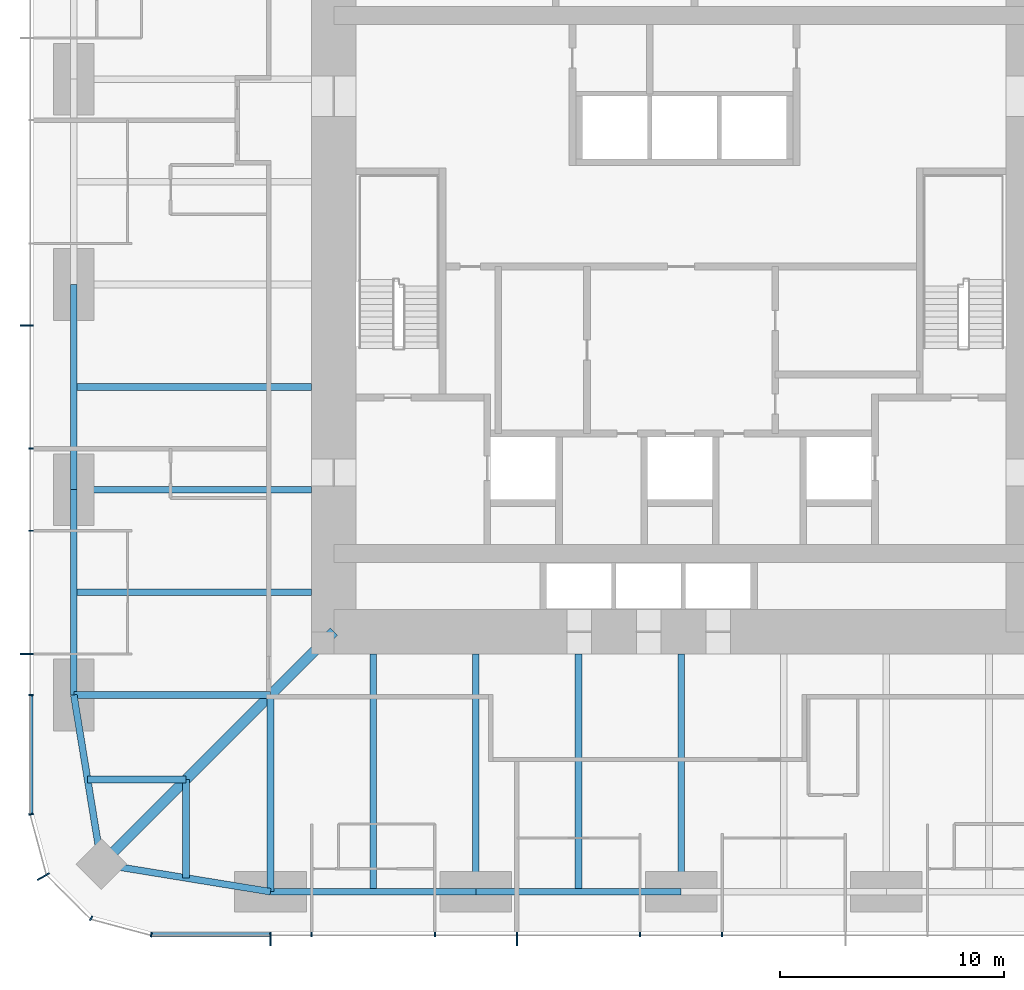
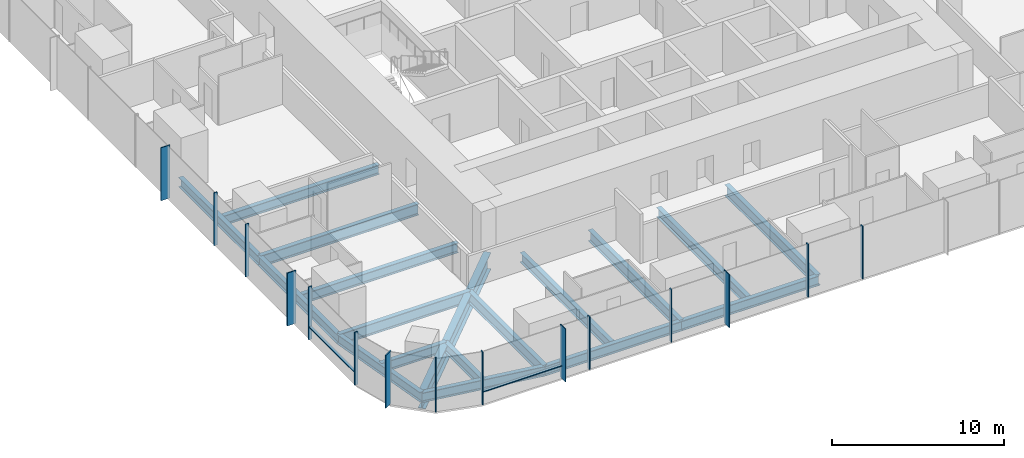
# One storey, part 2 of 13: 18 beams, 17 members, 3 elements without a shape of their own.
"""IFC4 building model written with IfcOpenShell, lengths in metres."""

from ifc_helpers import new_model, si_unit, direction, frame, origin, origin_2d, place, context, subcontext, project, spatial, rectangle, i_section, extrude, material, material_profile, profile_set, type_object, element, aggregate, save


model = new_model("IFC4")

# Units and contexts
model_context = context("Model", 3, precision=1e-05, world=origin(), true_north=direction((0.0, 1.0)))
body_context = subcontext(model_context, "Body", "Model", "MODEL_VIEW")
ifc_project = project(units=[si_unit("LENGTHUNIT", "METRE"), si_unit("AREAUNIT", "SQUARE_METRE"), si_unit("VOLUMEUNIT", "CUBIC_METRE"), si_unit("PLANEANGLEUNIT", "RADIAN"), si_unit("MASSUNIT", "GRAM", prefix="KILO")], contexts=[model_context])

# Site, building, storey
site_placement = place(None, origin())
site = spatial("IfcSite", under=ifc_project, at=site_placement, CompositionType="ELEMENT")
building_placement = place(site_placement, origin())
building = spatial("IfcBuilding", under=site, at=building_placement, Name="Khuree Lantern Residences", CompositionType="ELEMENT")
storey_placement = place(building_placement, frame((0.0, 0.0, 129.75)))
storey = spatial("IfcBuildingStorey", under=building, at=storey_placement, Name="L32", CompositionType="ELEMENT", Elevation=129.75)

# Beams
ifc_material_1 = material(Name="Steel S355", Category="steel")
ifc_material_profile_1 = material_profile(ifc_material_1, i_section(OverallWidth=0.300048828125, OverallDepth=0.68994140625, WebThickness=0.014404296875, FlangeThickness=0.027099609375, FilletRadius=0.027099609375, at=origin_2d()), Name="HE 700 A")
ifc_profile_set_1 = profile_set([ifc_material_profile_1], Name="Steel S355")
beam_type_1 = type_object("IfcBeamType", Name="B-22 SECONDARY BEAM HE 700 A", PredefinedType="BEAM", material=ifc_profile_set_1)
for number, where, z_axis, x_axis, name in (
    (1, (-4.580078125, -27.10009765625, -0.594970703125), (0.0, 1.0, 0.0), (-1.0, 0.0, 0.0), "Secondary beam S4"),
    (2, (-13.739990234375, -27.10009765625, -0.594970703125), (0.0, 1.0, 0.0), (-1.0, 0.0, 0.0), "Secondary beam S5"),
):
    element("IfcBeam", number, at=place(storey_placement, frame(where, z_axis=z_axis, x_axis=x_axis)), inside=storey, type_object=beam_type_1, Name=name, PredefinedType="BEAM", context=body_context, shape_type="SweptSolid", body=[
        extrude(i_section(OverallWidth=0.300048828125, OverallDepth=0.68994140625, WebThickness=0.014404296875, FlangeThickness=0.027099609375, FilletRadius=0.027099609375, at=origin_2d()), origin(), (0.0, 0.0, 1.0), 10.60009765625),
    ])
for number, where, z_axis, x_axis, name in (
    (3, (-22.094970703125, -26.48486328125, -0.594970703125), (0.0, 1.0, 0.0), (-1.0, 0.0, 0.0), "Secondary beam S6"),
    (4, (-26.48486328125, -22.094970703125, -0.594970703125), (1.0, 0.0, 0.0), (0.0, 1.0, 0.0), "Secondary beam W1"),
):
    element("IfcBeam", number, at=place(storey_placement, frame(where, z_axis=z_axis, x_axis=x_axis)), inside=storey, type_object=beam_type_1, Name=name, PredefinedType="BEAM", context=body_context, shape_type="SweptSolid", body=[
        extrude(i_section(OverallWidth=0.300048828125, OverallDepth=0.68994140625, WebThickness=0.014404296875, FlangeThickness=0.027099609375, FilletRadius=0.027099609375, at=origin_2d()), origin(), (0.0, 0.0, 1.0), 4.389892578125),
    ])
for number, where, z_axis, x_axis, name in (
    (5, (-27.10009765625, -13.739990234375, -0.594970703125), (1.0, 0.0, 0.0), (0.0, 1.0, 0.0), "Secondary beam W2"),
    (6, (-27.10009765625, -4.580078125, -0.594970703125), (1.0, 0.0, 0.0), (0.0, 1.0, 0.0), "Secondary beam W3"),
):
    element("IfcBeam", number, at=place(storey_placement, frame(where, z_axis=z_axis, x_axis=x_axis)), inside=storey, type_object=beam_type_1, Name=name, PredefinedType="BEAM", context=body_context, shape_type="SweptSolid", body=[
        extrude(i_section(OverallWidth=0.300048828125, OverallDepth=0.68994140625, WebThickness=0.014404296875, FlangeThickness=0.027099609375, FilletRadius=0.027099609375, at=origin_2d()), origin(), (0.0, 0.0, 1.0), 10.60009765625),
    ])
ifc_material_profile_2 = material_profile(ifc_material_1, i_section(OverallWidth=0.300048828125, OverallDepth=0.68994140625, WebThickness=0.014404296875, FlangeThickness=0.027099609375, FilletRadius=0.027099609375, at=origin_2d()), Name="HE 700 A")
ifc_profile_set_2 = profile_set([ifc_material_profile_2], Name="Steel S355")
beam_type_2 = type_object("IfcBeamType", Name="E-22 SPANDREL BEAM HE 700 A", PredefinedType="SPANDREL", material=ifc_profile_set_2)
beam_1_placement = place(storey_placement, frame((0.0, -27.10009765625, -0.594970703125), z_axis=(-1.0, 0.0, 0.0), x_axis=(0.0, -1.0, 0.0)))
element("IfcBeam", 7, at=beam_1_placement, inside=storey, type_object=beam_type_2, Name="Spandrel beam S4", PredefinedType="SPANDREL", context=body_context, shape_type="SweptSolid", body=[
    extrude(i_section(OverallWidth=0.300048828125, OverallDepth=0.68994140625, WebThickness=0.014404296875, FlangeThickness=0.027099609375, FilletRadius=0.027099609375, at=origin_2d()), origin(), (0.0, 0.0, 1.0), 9.159912109375),
])
beam_2_placement = place(storey_placement, frame((-9.159912109375, -27.10009765625, -0.594970703125), z_axis=(-1.0, 0.0, 0.0), x_axis=(0.0, -1.0, 0.0)))
element("IfcBeam", 8, at=beam_2_placement, inside=storey, type_object=beam_type_2, Name="Spandrel beam S5", PredefinedType="SPANDREL", context=body_context, shape_type="SweptSolid", body=[
    extrude(i_section(OverallWidth=0.300048828125, OverallDepth=0.68994140625, WebThickness=0.014404296875, FlangeThickness=0.027099609375, FilletRadius=0.027099609375, at=origin_2d()), origin(), (0.0, 0.0, 1.0), 9.16015625),
])
for number, where, z_axis, x_axis, name in (
    (9, (-18.320068359375, -27.10009765625, -0.594970703125), (-0.986982656839, 0.160826723833, 0.0), (-0.160826723833, -0.986982656839, 0.0), "Spandrel beam S6"),
    (10, (-25.869873046875, -25.869873046875, -0.594970703125), (-0.160826723833, 0.986982656839, 0.0), (-0.986982656839, -0.160826723833, 0.0), "Spandrel beam W1"),
):
    element("IfcBeam", number, at=place(storey_placement, frame(where, z_axis=z_axis, x_axis=x_axis)), inside=storey, type_object=beam_type_2, Name=name, PredefinedType="SPANDREL", context=body_context, shape_type="SweptSolid", body=[
        extrude(i_section(OverallWidth=0.300048828125, OverallDepth=0.68994140625, WebThickness=0.014404296875, FlangeThickness=0.027099609375, FilletRadius=0.027099609375, at=origin_2d()), origin(), (0.0, 0.0, 1.0), 7.6494140625),
    ])
beam_3_placement = place(storey_placement, frame((-27.10009765625, -18.320068359375, -0.594970703125), z_axis=(0.0, 1.0, 0.0), x_axis=(-1.0, 0.0, 0.0)))
element("IfcBeam", 11, at=beam_3_placement, inside=storey, type_object=beam_type_2, Name="Spandrel beam W2", PredefinedType="SPANDREL", context=body_context, shape_type="SweptSolid", body=[
    extrude(i_section(OverallWidth=0.300048828125, OverallDepth=0.68994140625, WebThickness=0.014404296875, FlangeThickness=0.027099609375, FilletRadius=0.027099609375, at=origin_2d()), origin(), (0.0, 0.0, 1.0), 9.16015625),
])
beam_4_placement = place(storey_placement, frame((-27.10009765625, -9.159912109375, -0.594970703125), z_axis=(0.0, 1.0, 0.0), x_axis=(-1.0, 0.0, 0.0)))
element("IfcBeam", 12, at=beam_4_placement, inside=storey, type_object=beam_type_2, Name="Spandrel beam W3", PredefinedType="SPANDREL", context=body_context, shape_type="SweptSolid", body=[
    extrude(i_section(OverallWidth=0.300048828125, OverallDepth=0.68994140625, WebThickness=0.014404296875, FlangeThickness=0.027099609375, FilletRadius=0.027099609375, at=origin_2d()), origin(), (0.0, 0.0, 1.0), 9.159912109375),
])

# Curtain wall, members
ifc_material_2 = material(Name="Bronze anodised aluminium", Category="aluminium")
curtain_wall_type_1 = type_object("IfcCurtainWallType", Name="CW-T1 TOWER FACE CURTAIN WALL", PredefinedType="USERDEFINED", material=ifc_material_2)
curtain_wall_1_placement = place(storey_placement, origin())
curtain_wall_1 = element("IfcCurtainWall", 13, at=curtain_wall_1_placement, inside=storey, type_object=curtain_wall_type_1, Name="L32 WEST FACE CURTAIN WALL", ObjectType="Stick-built curtain wall", PredefinedType="USERDEFINED")
ifc_material_profile_3 = material_profile(ifc_material_2, rectangle(XDim=0.06494140625, YDim=0.60009765625, at=origin_2d()), Name="F1 65X600")
ifc_profile_set_3 = profile_set([ifc_material_profile_3], Name="Bronze anodised aluminium")
member_type_1 = type_object("IfcMemberType", Name="F1 BRONZE FIN MULLION TOWER 65X600", PredefinedType="MULLION", material=ifc_profile_set_3)
member_1_placement = place(storey_placement, frame((-29.199951171875, -1.83203125, 0.0), z_axis=(0.0, 0.0, 1.0), x_axis=(0.0, -1.0, 0.0)))
member_1 = element("IfcMember", 14, at=member_1_placement, type_object=member_type_1, Name="L32 WEST FACE FIN MULLION 38", PredefinedType="MULLION", context=body_context, shape_type="SweptSolid", body=[
    extrude(rectangle(XDim=0.06494140625, YDim=0.60009765625, at=origin_2d()), origin(), (0.0, 0.0, 1.0), 3.75),
])
member_2_placement = place(storey_placement, frame((-29.199951171875, -16.488037109375, 0.0), z_axis=(0.0, 0.0, 1.0), x_axis=(0.0, -1.0, 0.0)))
member_2 = element("IfcMember", 15, at=member_2_placement, type_object=member_type_1, Name="L32 WEST FACE FIN MULLION 41", PredefinedType="MULLION", context=body_context, shape_type="SweptSolid", body=[
    extrude(rectangle(XDim=0.06494140625, YDim=0.60009765625, at=origin_2d()), origin(), (0.0, 0.0, 1.0), 3.75),
])

# Curtain wall, member
curtain_wall_type_2 = type_object("IfcCurtainWallType", Name="CW-T2 TOWER CORNER CURTAIN WALL", PredefinedType="USERDEFINED", material=ifc_material_2)
curtain_wall_2_placement = place(storey_placement, origin())
curtain_wall_2 = element("IfcCurtainWall", 16, at=curtain_wall_2_placement, inside=storey, type_object=curtain_wall_type_2, Name="L32 SOUTH-WEST CORNER CURTAIN WALL", ObjectType="Faceted corner curtain wall", PredefinedType="USERDEFINED")
member_3_placement = place(storey_placement, frame((-28.45654296875, -26.425048828125, 0.0), z_axis=(0.0, 0.0, 1.0), x_axis=(0.500000026995, -0.866025388199, 0.0)))
member_3 = element("IfcMember", 17, at=member_3_placement, type_object=member_type_1, Name="L32 SOUTH-WEST CORNER FIN MULLION 44", PredefinedType="MULLION", context=body_context, shape_type="SweptSolid", body=[
    extrude(rectangle(XDim=0.06494140625, YDim=0.60009765625, at=origin_2d()), origin(), (0.0, 0.0, 1.0), 3.75),
])

# Curtain wall, members
curtain_wall_3_placement = place(storey_placement, origin())
curtain_wall_3 = element("IfcCurtainWall", 18, at=curtain_wall_3_placement, inside=storey, type_object=curtain_wall_type_1, Name="L32 SOUTH FACE CURTAIN WALL", ObjectType="Stick-built curtain wall", PredefinedType="USERDEFINED")
member_4_placement = place(storey_placement, frame((-18.320068359375, -29.199951171875, 0.0), z_axis=(0.0, 0.0, 1.0), x_axis=(1.0, 0.0, 0.0)))
member_4 = element("IfcMember", 19, at=member_4_placement, type_object=member_type_1, Name="L32 SOUTH FACE FIN MULLION 47", PredefinedType="MULLION", context=body_context, shape_type="SweptSolid", body=[
    extrude(rectangle(XDim=0.06494140625, YDim=0.60009765625, at=origin_2d()), origin(), (0.0, 0.0, 1.0), 3.75),
])
member_5_placement = place(storey_placement, frame((-7.327880859375, -29.199951171875, 0.0), z_axis=(0.0, 0.0, 1.0), x_axis=(1.0, 0.0, 0.0)))
member_5 = element("IfcMember", 20, at=member_5_placement, type_object=member_type_1, Name="L32 SOUTH FACE FIN MULLION 50", PredefinedType="MULLION", context=body_context, shape_type="SweptSolid", body=[
    extrude(rectangle(XDim=0.06494140625, YDim=0.60009765625, at=origin_2d()), origin(), (0.0, 0.0, 1.0), 3.75),
])

# Beams
ifc_material_profile_4 = material_profile(ifc_material_1, i_section(OverallWidth=0.300048828125, OverallDepth=0.800048828125, WebThickness=0.017578125, FlangeThickness=0.032958984375, FilletRadius=0.030029296875, at=origin_2d()), Name="HE 800 B")
ifc_profile_set_4 = profile_set([ifc_material_profile_4], Name="Steel S355")
beam_type_3 = type_object("IfcBeamType", Name="G-22 GIRDER HE 800 B", PredefinedType="BEAM", material=ifc_profile_set_4)
for number, where, z_axis, x_axis, name in (
    (21, (0.0, -27.10009765625, -0.64990234375), (0.0, 1.0, 0.0), (-1.0, 0.0, 0.0), "Girder S3"),
    (22, (-9.159912109375, -27.10009765625, -0.64990234375), (0.0, 1.0, 0.0), (-1.0, 0.0, 0.0), "Girder S4"),
):
    element("IfcBeam", number, at=place(storey_placement, frame(where, z_axis=z_axis, x_axis=x_axis)), inside=storey, type_object=beam_type_3, Name=name, PredefinedType="BEAM", context=body_context, shape_type="SweptSolid", body=[
        extrude(i_section(OverallWidth=0.300048828125, OverallDepth=0.800048828125, WebThickness=0.017578125, FlangeThickness=0.032958984375, FilletRadius=0.030029296875, at=origin_2d()), origin(), (0.0, 0.0, 1.0), 10.60009765625),
    ])
for number, where, z_axis, x_axis, name in (
    (23, (-18.320068359375, -27.10009765625, -0.64990234375), (0.0, 1.0, 0.0), (-1.0, 0.0, 0.0), "Girder S5"),
    (24, (-27.10009765625, -18.320068359375, -0.64990234375), (1.0, 0.0, 0.0), (0.0, 1.0, 0.0), "Girder W1"),
):
    element("IfcBeam", number, at=place(storey_placement, frame(where, z_axis=z_axis, x_axis=x_axis)), inside=storey, type_object=beam_type_3, Name=name, PredefinedType="BEAM", context=body_context, shape_type="SweptSolid", body=[
        extrude(i_section(OverallWidth=0.300048828125, OverallDepth=0.800048828125, WebThickness=0.017578125, FlangeThickness=0.032958984375, FilletRadius=0.030029296875, at=origin_2d()), origin(), (0.0, 0.0, 1.0), 8.780029296875),
    ])
beam_5_placement = place(storey_placement, frame((-27.10009765625, -9.159912109375, -0.64990234375), z_axis=(1.0, 0.0, 0.0), x_axis=(0.0, 1.0, 0.0)))
element("IfcBeam", 25, at=beam_5_placement, inside=storey, type_object=beam_type_3, Name="Girder W2", PredefinedType="BEAM", context=body_context, shape_type="SweptSolid", body=[
    extrude(i_section(OverallWidth=0.300048828125, OverallDepth=0.800048828125, WebThickness=0.017578125, FlangeThickness=0.032958984375, FilletRadius=0.030029296875, at=origin_2d()), origin(), (0.0, 0.0, 1.0), 10.60009765625),
])
ifc_material_profile_5 = material_profile(ifc_material_1, i_section(OverallWidth=0.449951171875, OverallDepth=1.199951171875, WebThickness=0.02490234375, FlangeThickness=0.044921875, at=origin_2d()), Name="WELDED I 1200X450X25X45")
ifc_profile_set_5 = profile_set([ifc_material_profile_5], Name="Steel S355")
beam_type_4 = type_object("IfcBeamType", Name="GD-22 CORNER GIRDER WELDED I 1200X450X25X45", PredefinedType="BEAM", material=ifc_profile_set_5)
beam_6_placement = place(storey_placement, frame((-25.869873046875, -25.869873046875, -0.85009765625), z_axis=(0.707106781187, 0.707106781187, 0.0), x_axis=(-0.707106781187, 0.707106781187, 0.0)))
element("IfcBeam", 26, at=beam_6_placement, inside=storey, type_object=beam_type_4, Name="Corner girder SW", PredefinedType="BEAM", context=body_context, shape_type="SweptSolid", body=[
    extrude(i_section(OverallWidth=0.449951171875, OverallDepth=1.199951171875, WebThickness=0.02490234375, FlangeThickness=0.044921875, at=origin_2d()), origin(), (0.0, 0.0, 1.0), 14.665283203125),
])

# Member
ifc_material_profile_6 = material_profile(ifc_material_2, rectangle(XDim=0.06494140625, YDim=0.219970703125, at=origin_2d()), Name="M1 65X220")
ifc_profile_set_6 = profile_set([ifc_material_profile_6], Name="Bronze anodised aluminium")
member_type_2 = type_object("IfcMemberType", Name="M1 BRONZE MULLION TOWER 65X220", PredefinedType="MULLION", material=ifc_profile_set_6)
member_6_placement = place(storey_placement, frame((-29.010009765625, -7.327880859375, 0.0), z_axis=(0.0, 0.0, 1.0), x_axis=(0.0, -1.0, 0.0)))
member_6 = element("IfcMember", 27, at=member_6_placement, type_object=member_type_2, Name="L32 WEST FACE MULLION 39", PredefinedType="MULLION", context=body_context, shape_type="SweptSolid", body=[
    extrude(rectangle(XDim=0.06494140625, YDim=0.219970703125, at=origin_2d()), origin(), (0.0, 0.0, 1.0), 3.75),
])

member_7_placement = place(storey_placement, frame((-29.010009765625, -10.991943359375, 0.0), z_axis=(0.0, 0.0, 1.0), x_axis=(0.0, -1.0, 0.0)))
member_7 = element("IfcMember", 28, at=member_7_placement, type_object=member_type_2, Name="L32 WEST FACE MULLION 40", PredefinedType="MULLION", context=body_context, shape_type="SweptSolid", body=[
    extrude(rectangle(XDim=0.06494140625, YDim=0.219970703125, at=origin_2d()), origin(), (0.0, 0.0, 1.0), 3.75),
])

member_8_placement = place(storey_placement, frame((-29.010009765625, -18.320068359375, 0.0), z_axis=(0.0, 0.0, 1.0), x_axis=(0.0, -1.0, 0.0)))
member_8 = element("IfcMember", 29, at=member_8_placement, type_object=member_type_2, Name="L32 WEST FACE MULLION 42", PredefinedType="MULLION", context=body_context, shape_type="SweptSolid", body=[
    extrude(rectangle(XDim=0.06494140625, YDim=0.219970703125, at=origin_2d()), origin(), (0.0, 0.0, 1.0), 3.75),
])

member_9_placement = place(storey_placement, frame((-29.01171875, -23.64501953125, 0.0), z_axis=(0.0, 0.0, 1.0), x_axis=(0.130526223125, -0.991444857305, 0.0)))
member_9 = element("IfcMember", 30, at=member_9_placement, type_object=member_type_2, Name="L32 SOUTH-WEST CORNER MULLION 43", PredefinedType="MULLION", context=body_context, shape_type="SweptSolid", body=[
    extrude(rectangle(XDim=0.06494140625, YDim=0.219970703125, at=origin_2d()), origin(), (0.0, 0.0, 1.0), 3.75),
])

member_10_placement = place(storey_placement, frame((-26.330078125, -28.2919921875, 0.0), z_axis=(0.0, 0.0, 1.0), x_axis=(0.866025388199, -0.500000026995, 0.0)))
member_10 = element("IfcMember", 31, at=member_10_placement, type_object=member_type_2, Name="L32 SOUTH-WEST CORNER MULLION 45", PredefinedType="MULLION", context=body_context, shape_type="SweptSolid", body=[
    extrude(rectangle(XDim=0.06494140625, YDim=0.219970703125, at=origin_2d()), origin(), (0.0, 0.0, 1.0), 3.75),
])

aggregate(curtain_wall_2, [member_9, member_3, member_10])

member_11_placement = place(storey_placement, frame((-23.64501953125, -29.01171875, 0.0), z_axis=(0.0, 0.0, 1.0), x_axis=(0.991444857305, -0.130526223125, 0.0)))
member_11 = element("IfcMember", 32, at=member_11_placement, type_object=member_type_2, Name="L32 SOUTH FACE MULLION 46", PredefinedType="MULLION", context=body_context, shape_type="SweptSolid", body=[
    extrude(rectangle(XDim=0.06494140625, YDim=0.219970703125, at=origin_2d()), origin(), (0.0, 0.0, 1.0), 3.75),
])

member_12_placement = place(storey_placement, frame((-16.488037109375, -29.010009765625, 0.0), z_axis=(0.0, 0.0, 1.0), x_axis=(1.0, 0.0, 0.0)))
member_12 = element("IfcMember", 33, at=member_12_placement, type_object=member_type_2, Name="L32 SOUTH FACE MULLION 48", PredefinedType="MULLION", context=body_context, shape_type="SweptSolid", body=[
    extrude(rectangle(XDim=0.06494140625, YDim=0.219970703125, at=origin_2d()), origin(), (0.0, 0.0, 1.0), 3.75),
])

member_13_placement = place(storey_placement, frame((-10.991943359375, -29.010009765625, 0.0), z_axis=(0.0, 0.0, 1.0), x_axis=(1.0, 0.0, 0.0)))
member_13 = element("IfcMember", 34, at=member_13_placement, type_object=member_type_2, Name="L32 SOUTH FACE MULLION 49", PredefinedType="MULLION", context=body_context, shape_type="SweptSolid", body=[
    extrude(rectangle(XDim=0.06494140625, YDim=0.219970703125, at=origin_2d()), origin(), (0.0, 0.0, 1.0), 3.75),
])

member_14_placement = place(storey_placement, frame((-1.83203125, -29.010009765625, 0.0), z_axis=(0.0, 0.0, 1.0), x_axis=(1.0, 0.0, 0.0)))
member_14 = element("IfcMember", 35, at=member_14_placement, type_object=member_type_2, Name="L32 SOUTH FACE MULLION 51", PredefinedType="MULLION", context=body_context, shape_type="SweptSolid", body=[
    extrude(rectangle(XDim=0.06494140625, YDim=0.219970703125, at=origin_2d()), origin(), (0.0, 0.0, 1.0), 3.75),
])

member_15_placement = place(storey_placement, frame((1.83203125, -29.010009765625, 0.0), z_axis=(0.0, 0.0, 1.0), x_axis=(1.0, 0.0, 0.0)))
member_15 = element("IfcMember", 36, at=member_15_placement, type_object=member_type_2, Name="L32 SOUTH FACE MULLION 52", PredefinedType="MULLION", context=body_context, shape_type="SweptSolid", body=[
    extrude(rectangle(XDim=0.06494140625, YDim=0.219970703125, at=origin_2d()), origin(), (0.0, 0.0, 1.0), 3.75),
])

ifc_material_profile_7 = material_profile(ifc_material_2, rectangle(XDim=0.179931640625, YDim=0.06494140625, at=origin_2d()), Name="T1 180X65")
ifc_profile_set_7 = profile_set([ifc_material_profile_7], Name="Bronze anodised aluminium")
member_type_3 = type_object("IfcMemberType", Name="TRANSOM T1 TOWER 180X65", PredefinedType="USERDEFINED", material=ifc_profile_set_7)
member_16_placement = place(storey_placement, frame((-29.02001953125, -18.3525390625, 0.89990234375), z_axis=(0.0, -1.0, 0.0), x_axis=(1.0, 0.0, 0.0)))
member_16 = element("IfcMember", 37, at=member_16_placement, type_object=member_type_3, Name="L32 WEST FACE TRANSOM 42.1", ObjectType="Transom", PredefinedType="USERDEFINED", context=body_context, shape_type="SweptSolid", body=[
    extrude(rectangle(XDim=0.179931640625, YDim=0.06494140625, at=origin_2d()), origin(), (0.0, 0.0, 1.0), 5.248779296875),
])

aggregate(curtain_wall_1, [member_1, member_6, member_7, member_2, member_8, member_16])

member_17_placement = place(storey_placement, frame((-23.601318359375, -29.02001953125, 0.89990234375), z_axis=(1.0, 0.0, 0.0), x_axis=(0.0, 1.0, 0.0)))
member_17 = element("IfcMember", 38, at=member_17_placement, type_object=member_type_3, Name="L32 SOUTH FACE TRANSOM 46.1", ObjectType="Transom", PredefinedType="USERDEFINED", context=body_context, shape_type="SweptSolid", body=[
    extrude(rectangle(XDim=0.179931640625, YDim=0.06494140625, at=origin_2d()), origin(), (0.0, 0.0, 1.0), 5.248779296875),
])

aggregate(curtain_wall_3, [member_11, member_4, member_12, member_13, member_5, member_14, member_15, member_17])

save(model, "model.ifc")
